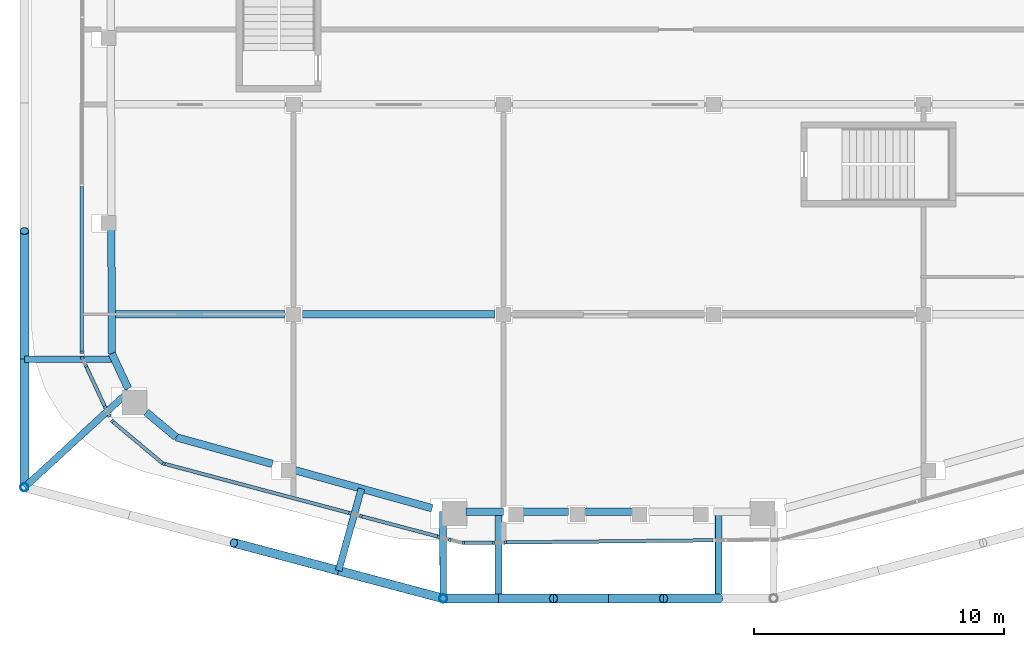
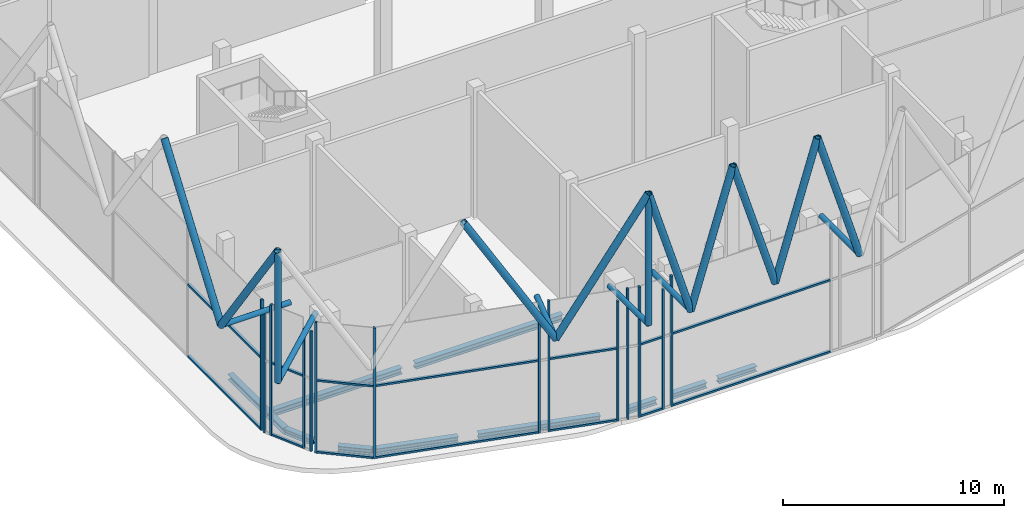
# One storey, part 2 of 25: 45 members, 10 beams, 13 elements without a shape of their own.
"""IFC4 building model written with IfcOpenShell, lengths in metres."""

from ifc_helpers import new_model, si_unit, direction, frame, origin, origin_2d, place, context, subcontext, project, spatial, rectangle, hollow_circle, i_section, extrude, material, layer, layer_set, material_profile, profile_set, type_object, element, aggregate, save


model = new_model("IFC4")

# Units and contexts
model_context = context("Model", 3, precision=1e-05, world=origin(), true_north=direction((0.0, 1.0)))
body_context = subcontext(model_context, "Body", "Model", "MODEL_VIEW")
ifc_project = project(units=[si_unit("LENGTHUNIT", "METRE"), si_unit("AREAUNIT", "SQUARE_METRE"), si_unit("VOLUMEUNIT", "CUBIC_METRE"), si_unit("PLANEANGLEUNIT", "RADIAN"), si_unit("MASSUNIT", "GRAM", prefix="KILO")], contexts=[model_context])

# Site, building, storey
site_placement = place(None, origin())
site = spatial("IfcSite", under=ifc_project, at=site_placement, CompositionType="ELEMENT")
building_placement = place(site_placement, origin())
building = spatial("IfcBuilding", under=site, at=building_placement, Name="Marenta Gate Hotel Tower", CompositionType="ELEMENT")
storey_placement = place(building_placement, frame((0.0, 0.0, 281.300048828125)))
storey = spatial("IfcBuildingStorey", under=building, at=storey_placement, Name="L65", CompositionType="ELEMENT", Elevation=281.300048828125)

# Members
ifc_material_1 = material(Name="Steel S355J2W", Category="steel")
ifc_material_profile_1 = material_profile(ifc_material_1, hollow_circle(Radius=0.161865234375, WallThickness=0.012451171875, at=origin_2d()), Name="CHS 323.9x12.5")
ifc_profile_set_1 = profile_set([ifc_material_profile_1], Name="Steel S355J2W")
member_type_1 = type_object("IfcMemberType", Name="Diagrid corner post C CHS 323.9x12.5", PredefinedType="POST", material=ifc_profile_set_1)
for number, where, z_axis, x_axis, name in (
    (1, (-6.60888671875, -36.570068359375, 6.739990234375), (0.0, 0.0, 1.0), (1.0, 0.0, 0.0), "L65-DR-4"),
    (2, (-23.3701171875, -32.123291015625, 6.739990234375), (0.0, 0.0, 1.0), (1.0, 0.0, 0.0), "L65-DR-5"),
):
    element("IfcMember", number, at=place(storey_placement, frame(where, z_axis=z_axis, x_axis=x_axis)), inside=storey, type_object=member_type_1, Name=name, PredefinedType="POST", context=body_context, shape_type="SweptSolid", body=[
        extrude(hollow_circle(Radius=0.161865234375, WallThickness=0.012451171875, at=origin_2d()), origin(), (0.0, 0.0, 1.0), 7.199951171875),
    ])
ifc_material_2 = material(Name="Steel S355J2W", Category="steel")
ifc_material_profile_2 = material_profile(ifc_material_2, hollow_circle(Radius=0.177734375, WallThickness=0.01611328125, at=origin_2d()), Name="CHS 355.6x16")
ifc_profile_set_2 = profile_set([ifc_material_profile_2], Name="Steel S355J2W")
member_type_2 = type_object("IfcMemberType", Name="Diagrid diagonal C CHS 355.6x16", PredefinedType="BRACE", material=ifc_profile_set_2)
member_1_placement = place(storey_placement, frame((4.406005859375, -36.570068359375, 6.739990234375), z_axis=(-0.292599919446, 0.0, 0.956234953942), x_axis=(0.0, -1.0, 0.0)))
element("IfcMember", 3, at=member_1_placement, inside=storey, type_object=member_type_2, Name="L65-DG-16", PredefinedType="BRACE", context=body_context, shape_type="SweptSolid", body=[
    extrude(hollow_circle(Radius=0.177734375, WallThickness=0.01611328125, at=origin_2d()), origin(), (0.0, 0.0, 1.0), 7.529541015625),
])
for number, where, z_axis, x_axis, name in (
    (4, (0.0, -36.570068359375, 6.739990234375), (0.292570270413, 0.0, 0.956244025796), (0.0, 1.0, 0.0), "L65-DG-17"),
    (5, (0.0, -36.570068359375, 6.739990234375), (-0.292570270413, 0.0, 0.956244025796), (0.0, -1.0, 0.0), "L65-DG-18"),
):
    element("IfcMember", number, at=place(storey_placement, frame(where, z_axis=z_axis, x_axis=x_axis)), inside=storey, type_object=member_type_2, Name=name, PredefinedType="BRACE", context=body_context, shape_type="SweptSolid", body=[
        extrude(hollow_circle(Radius=0.177734375, WallThickness=0.01611328125, at=origin_2d()), origin(), (0.0, 0.0, 1.0), 7.529296875),
    ])
member_2_placement = place(storey_placement, frame((-4.406005859375, -36.570068359375, 6.739990234375), z_axis=(0.292599919446, 0.0, 0.956234953942), x_axis=(0.0, 1.0, 0.0)))
element("IfcMember", 6, at=member_2_placement, inside=storey, type_object=member_type_2, Name="L65-DG-19", PredefinedType="BRACE", context=body_context, shape_type="SweptSolid", body=[
    extrude(hollow_circle(Radius=0.177734375, WallThickness=0.01611328125, at=origin_2d()), origin(), (0.0, 0.0, 1.0), 7.529541015625),
])
member_3_placement = place(storey_placement, frame((-4.406005859375, -36.570068359375, 6.739990234375), z_axis=(-0.292570270413, 0.0, 0.956244025796), x_axis=(0.0, -1.0, 0.0)))
element("IfcMember", 7, at=member_3_placement, inside=storey, type_object=member_type_2, Name="L65-DG-20", PredefinedType="BRACE", context=body_context, shape_type="SweptSolid", body=[
    extrude(hollow_circle(Radius=0.177734375, WallThickness=0.01611328125, at=origin_2d()), origin(), (0.0, 0.0, 1.0), 7.529296875),
])
member_4_placement = place(storey_placement, frame((-10.79931640625, -35.458251953125, 6.739990234375), z_axis=(0.498595291069, -0.13228868303, 0.856681060878), x_axis=(0.256449730421, 0.966557569815, 0.0)))
element("IfcMember", 8, at=member_4_placement, inside=storey, type_object=member_type_2, Name="L65-DG-21", PredefinedType="BRACE", context=body_context, shape_type="SweptSolid", body=[
    extrude(hollow_circle(Radius=0.177734375, WallThickness=0.01611328125, at=origin_2d()), origin(), (0.0, 0.0, 1.0), 8.404541015625),
])
member_5_placement = place(storey_placement, frame((-10.79931640625, -35.458251953125, 6.739990234375), z_axis=(-0.498575378967, 0.132262057941, 0.856696760538), x_axis=(-0.256411076507, -0.966567824751, 0.0)))
element("IfcMember", 9, at=member_5_placement, inside=storey, type_object=member_type_2, Name="L65-DG-22", PredefinedType="BRACE", context=body_context, shape_type="SweptSolid", body=[
    extrude(hollow_circle(Radius=0.177734375, WallThickness=0.01611328125, at=origin_2d()), origin(), (0.0, 0.0, 1.0), 8.404296875),
])
for number, where, z_axis, x_axis, name in (
    (10, (-23.3701171875, -26.993896484375, 6.739990234375), (0.0, -0.580231970533, 0.81445126335), (1.0, 0.0, 0.0), "L65-DG-25"),
    (11, (-23.3701171875, -26.993896484375, 6.739990234375), (0.0, 0.580231970533, 0.81445126335), (-1.0, 0.0, 0.0), "L65-DG-26"),
):
    element("IfcMember", number, at=place(storey_placement, frame(where, z_axis=z_axis, x_axis=x_axis)), inside=storey, type_object=member_type_2, Name=name, PredefinedType="BRACE", context=body_context, shape_type="SweptSolid", body=[
        extrude(hollow_circle(Radius=0.177734375, WallThickness=0.01611328125, at=origin_2d()), origin(), (0.0, 0.0, 1.0), 8.84033203125),
    ])

# Beams
ifc_material_3 = material(Name="Steel S355", Category="steel")
ifc_material_profile_3 = material_profile(ifc_material_3, i_section(OverallWidth=0.300048828125, OverallDepth=0.300048828125, WebThickness=0.010986328125, FlangeThickness=0.01904296875, FilletRadius=0.027099609375, at=origin_2d()), Name="HEB 300")
ifc_profile_set_3 = profile_set([ifc_material_profile_3], Name="Steel S355")
beam_type_1 = type_object("IfcBeamType", Name="Edge beam HEB 300", PredefinedType="SPANDREL", material=ifc_profile_set_3)
beam_1_placement = place(storey_placement, frame((-7.054443359375, -32.95947265625, -0.41015625), z_axis=(-0.9636227992, 0.267265974008, 0.0), x_axis=(-0.267265974008, -0.9636227992, 0.0)))
element("IfcBeam", 12, at=beam_1_placement, inside=storey, type_object=beam_type_1, Name="L65-EB-1", PredefinedType="SPANDREL", context=body_context, shape_type="SweptSolid", body=[
    extrude(i_section(OverallWidth=0.300048828125, OverallDepth=0.300048828125, WebThickness=0.010986328125, FlangeThickness=0.01904296875, FilletRadius=0.027099609375, at=origin_2d()), origin(), (0.0, 0.0, 1.0), 5.6982421875),
])
beam_2_placement = place(storey_placement, frame((-13.44482421875, -31.18701171875, -0.41015625), z_axis=(-0.963624581136, 0.267259549186, 0.0), x_axis=(-0.267259549186, -0.963624581136, 0.0)))
element("IfcBeam", 13, at=beam_2_placement, inside=storey, type_object=beam_type_1, Name="L65-EB-2", PredefinedType="SPANDREL", context=body_context, shape_type="SweptSolid", body=[
    extrude(i_section(OverallWidth=0.300048828125, OverallDepth=0.300048828125, WebThickness=0.010986328125, FlangeThickness=0.01904296875, FilletRadius=0.027099609375, at=origin_2d()), origin(), (0.0, 0.0, 1.0), 3.99755859375),
])
beam_3_placement = place(storey_placement, frame((-17.296875, -30.11865234375, -0.41015625), z_axis=(-0.767142679, 0.641476507797, 0.0), x_axis=(-0.641476507797, -0.767142679, 0.0)))
element("IfcBeam", 14, at=beam_3_placement, inside=storey, type_object=beam_type_1, Name="L65-EB-3", PredefinedType="SPANDREL", context=body_context, shape_type="SweptSolid", body=[
    extrude(i_section(OverallWidth=0.300048828125, OverallDepth=0.300048828125, WebThickness=0.010986328125, FlangeThickness=0.01904296875, FilletRadius=0.027099609375, at=origin_2d()), origin(), (0.0, 0.0, 1.0), 1.56005859375),
])
beam_4_placement = place(storey_placement, frame((-19.219970703125, -28.169189453125, -0.41015625), z_axis=(-0.423394912145, 0.905945223714, 0.0), x_axis=(-0.905945223714, -0.423394912145, 0.0)))
element("IfcBeam", 15, at=beam_4_placement, inside=storey, type_object=beam_type_1, Name="L65-EB-4", PredefinedType="SPANDREL", context=body_context, shape_type="SweptSolid", body=[
    extrude(i_section(OverallWidth=0.300048828125, OverallDepth=0.300048828125, WebThickness=0.010986328125, FlangeThickness=0.01904296875, FilletRadius=0.027099609375, at=origin_2d()), origin(), (0.0, 0.0, 1.0), 1.547607421875),
])
beam_5_placement = place(storey_placement, frame((-19.875244140625, -26.76708984375, -0.41015625), z_axis=(-0.003301125095, 0.999994551272, 0.0), x_axis=(-0.999994551272, -0.003301125095, 0.0)))
element("IfcBeam", 16, at=beam_5_placement, inside=storey, type_object=beam_type_1, Name="L65-EB-5", PredefinedType="SPANDREL", context=body_context, shape_type="SweptSolid", body=[
    extrude(i_section(OverallWidth=0.300048828125, OverallDepth=0.300048828125, WebThickness=0.010986328125, FlangeThickness=0.01904296875, FilletRadius=0.027099609375, at=origin_2d()), origin(), (0.0, 0.0, 1.0), 4.955078125),
])
beam_6_placement = place(storey_placement, frame((0.98876953125, -33.09130859375, -0.41015625), z_axis=(-1.0, 0.0, 0.0), x_axis=(0.0, -1.0, 0.0)))
element("IfcBeam", 17, at=beam_6_placement, inside=storey, type_object=beam_type_1, Name="L65-EB-30", PredefinedType="SPANDREL", context=body_context, shape_type="SweptSolid", body=[
    extrude(i_section(OverallWidth=0.300048828125, OverallDepth=0.300048828125, WebThickness=0.010986328125, FlangeThickness=0.01904296875, FilletRadius=0.027099609375, at=origin_2d()), origin(), (0.0, 0.0, 1.0), 1.9775390625),
])
beam_7_placement = place(storey_placement, frame((-1.608642578125, -33.09130859375, -0.41015625), z_axis=(-1.0, 0.0, 0.0), x_axis=(0.0, -1.0, 0.0)))
element("IfcBeam", 18, at=beam_7_placement, inside=storey, type_object=beam_type_1, Name="L65-EB-31", PredefinedType="SPANDREL", context=body_context, shape_type="SweptSolid", body=[
    extrude(i_section(OverallWidth=0.300048828125, OverallDepth=0.300048828125, WebThickness=0.010986328125, FlangeThickness=0.01904296875, FilletRadius=0.027099609375, at=origin_2d()), origin(), (0.0, 0.0, 1.0), 1.83154296875),
])
beam_8_placement = place(storey_placement, frame((-4.2060546875, -33.09130859375, -0.41015625), z_axis=(-1.0, 0.0, 0.0), x_axis=(0.0, -1.0, 0.0)))
element("IfcBeam", 19, at=beam_8_placement, inside=storey, type_object=beam_type_1, Name="L65-EB-32", PredefinedType="SPANDREL", context=body_context, shape_type="SweptSolid", body=[
    extrude(i_section(OverallWidth=0.300048828125, OverallDepth=0.300048828125, WebThickness=0.010986328125, FlangeThickness=0.01904296875, FilletRadius=0.027099609375, at=origin_2d()), origin(), (0.0, 0.0, 1.0), 1.500244140625),
])

# Members
ifc_material_4 = material(Name="Steel S355J2W", Category="steel")
ifc_material_profile_4 = material_profile(ifc_material_4, hollow_circle(Radius=0.136474609375, WallThickness=0.012451171875, at=origin_2d()), Name="CHS 273x12.5")
ifc_profile_set_4 = profile_set([ifc_material_profile_4], Name="Steel S355J2W")
member_type_3 = type_object("IfcMemberType", Name="Floor tie CHS 273x12.5", PredefinedType="STRUT", material=ifc_profile_set_4)
for number, where, z_axis, x_axis, name in (
    (20, (4.406005859375, -36.570068359375, 6.739990234375), (0.0, 1.0, 0.0), (-1.0, 0.0, 0.0), "L65-DR-14"),
    (21, (-4.406005859375, -36.570068359375, 6.739990234375), (0.0, 1.0, 0.0), (-1.0, 0.0, 0.0), "L65-DR-15"),
):
    element("IfcMember", number, at=place(storey_placement, frame(where, z_axis=z_axis, x_axis=x_axis)), inside=storey, type_object=member_type_3, Name=name, PredefinedType="STRUT", context=body_context, shape_type="SweptSolid", body=[
        extrude(hollow_circle(Radius=0.136474609375, WallThickness=0.012451171875, at=origin_2d()), origin(), (0.0, 0.0, 1.0), 3.473388671875),
    ])
member_6_placement = place(storey_placement, frame((-6.60888671875, -36.570068359375, 6.739990234375), z_axis=(-0.005391700916, 0.999985464675, 0.0), x_axis=(-0.999985464675, -0.005391700916, 0.0)))
element("IfcMember", 22, at=member_6_placement, inside=storey, type_object=member_type_3, Name="L65-DR-16", PredefinedType="STRUT", context=body_context, shape_type="SweptSolid", body=[
    extrude(hollow_circle(Radius=0.136474609375, WallThickness=0.012451171875, at=origin_2d()), origin(), (0.0, 0.0, 1.0), 3.486572265625),
])
member_7_placement = place(storey_placement, frame((-10.79931640625, -35.458251953125, 6.739990234375), z_axis=(0.267284964201, 0.963617531966, 0.0), x_axis=(-0.963617531966, 0.267284964201, 0.0)))
element("IfcMember", 23, at=member_7_placement, inside=storey, type_object=member_type_3, Name="L65-DR-17", PredefinedType="STRUT", context=body_context, shape_type="SweptSolid", body=[
    extrude(hollow_circle(Radius=0.136474609375, WallThickness=0.012451171875, at=origin_2d()), origin(), (0.0, 0.0, 1.0), 3.4033203125),
])
member_8_placement = place(storey_placement, frame((-23.3701171875, -32.123291015625, 6.739990234375), z_axis=(0.736553871994, 0.676378883209, 0.0), x_axis=(-0.676378883209, 0.736553871994, 0.0)))
element("IfcMember", 24, at=member_8_placement, inside=storey, type_object=member_type_3, Name="L65-DR-18", PredefinedType="STRUT", context=body_context, shape_type="SweptSolid", body=[
    extrude(hollow_circle(Radius=0.136474609375, WallThickness=0.012451171875, at=origin_2d()), origin(), (0.0, 0.0, 1.0), 5.692138671875),
])
member_9_placement = place(storey_placement, frame((-23.3701171875, -26.993896484375, 6.739990234375), z_axis=(0.999999997694, 6.7916327e-05, 0.0), x_axis=(-6.7916327e-05, 0.999999997694, 0.0)))
element("IfcMember", 25, at=member_9_placement, inside=storey, type_object=member_type_3, Name="L65-DR-19", PredefinedType="STRUT", context=body_context, shape_type="SweptSolid", body=[
    extrude(hollow_circle(Radius=0.136474609375, WallThickness=0.012451171875, at=origin_2d()), origin(), (0.0, 0.0, 1.0), 3.5947265625),
])

# Beams
ifc_material_5 = material(Name="Steel S355", Category="steel")
ifc_material_profile_5 = material_profile(ifc_material_5, i_section(OverallWidth=0.300048828125, OverallDepth=0.340087890625, WebThickness=0.011962890625, FlangeThickness=0.021484375, FilletRadius=0.027099609375, at=origin_2d()), Name="HEB 340")
ifc_profile_set_5 = profile_set([ifc_material_profile_5], Name="Steel S355")
beam_type_2 = type_object("IfcBeamType", Name="Girder HEB 340", PredefinedType="BEAM", material=ifc_profile_set_5)
beam_9_placement = place(storey_placement, frame((-19.73046875, -25.199951171875, -0.429931640625), z_axis=(1.0, 0.0, 0.0), x_axis=(0.0, 1.0, 0.0)))
element("IfcBeam", 26, at=beam_9_placement, inside=storey, type_object=beam_type_2, Name="L65-GD-1", PredefinedType="BEAM", context=body_context, shape_type="SweptSolid", body=[
    extrude(i_section(OverallWidth=0.300048828125, OverallDepth=0.340087890625, WebThickness=0.011962890625, FlangeThickness=0.021484375, FilletRadius=0.027099609375, at=origin_2d()), origin(), (0.0, 0.0, 1.0), 6.780517578125),
])
beam_10_placement = place(storey_placement, frame((-12.25, -25.199951171875, -0.429931640625), z_axis=(1.0, 0.0, 0.0), x_axis=(0.0, 1.0, 0.0)))
element("IfcBeam", 27, at=beam_10_placement, inside=storey, type_object=beam_type_2, Name="L65-GD-2", PredefinedType="BEAM", context=body_context, shape_type="SweptSolid", body=[
    extrude(i_section(OverallWidth=0.300048828125, OverallDepth=0.340087890625, WebThickness=0.011962890625, FlangeThickness=0.021484375, FilletRadius=0.027099609375, at=origin_2d()), origin(), (0.0, 0.0, 1.0), 7.699951171875),
])

# Curtain wall, member
ifc_material_6 = material(Name="Tinted insulated glass in bronze anodised frame", Category="glass")
ifc_layer = layer(ifc_material_6, 0.139892578125)
ifc_layer_set = layer_set([ifc_layer], Name="Tinted insulated glass in bronze anodised frame")
curtain_wall_type = type_object("IfcCurtainWallType", Name="Observation deck structural glazing CW3", PredefinedType="NOTDEFINED", material=ifc_layer_set)
curtain_wall_1_placement = place(storey_placement, origin())
curtain_wall_1 = element("IfcCurtainWall", 28, at=curtain_wall_1_placement, inside=storey, type_object=curtain_wall_type, Name="CW3 run G09", PredefinedType="NOTDEFINED")
ifc_material_7 = material(Name="Bronze anodised aluminium", Category="aluminium")
ifc_material_profile_6 = material_profile(ifc_material_7, rectangle(XDim=0.139892578125, YDim=0.10009765625, at=origin_2d()), Name="Mullion CW3 100x140 bronze anodised aluminium")
ifc_profile_set_6 = profile_set([ifc_material_profile_6], Name="Bronze anodised aluminium")
member_type_4 = type_object("IfcMemberType", Name="Mullion CW3 100x140 bronze anodised aluminium", PredefinedType="MULLION", material=ifc_profile_set_6)
member_10_placement = place(storey_placement, frame((-21.082763671875, -26.71728515625, 0.0), z_axis=(0.0, 0.0, 1.0), x_axis=(0.999998775196, -0.001565121588, 0.0)))
member_10 = element("IfcMember", 29, at=member_10_placement, type_object=member_type_4, Name="CW3 mullion 4", PredefinedType="MULLION", context=body_context, shape_type="SweptSolid", body=[
    extrude(rectangle(XDim=0.139892578125, YDim=0.10009765625, at=origin_2d()), origin(), (0.0, 0.0, 1.0), 7.199951171875),
])

curtain_wall_2_placement = place(storey_placement, origin())
curtain_wall_2 = element("IfcCurtainWall", 30, at=curtain_wall_2_placement, inside=storey, type_object=curtain_wall_type, Name="CW3 run G10", PredefinedType="NOTDEFINED")
member_11_placement = place(storey_placement, frame((-21.061767578125, -26.94140625, 0.0), z_axis=(0.0, 0.0, 1.0), x_axis=(0.906011770288, 0.423252492136, 0.0)))
member_11 = element("IfcMember", 31, at=member_11_placement, type_object=member_type_4, Name="CW3 mullion 1", PredefinedType="MULLION", context=body_context, shape_type="SweptSolid", body=[
    extrude(rectangle(XDim=0.139892578125, YDim=0.10009765625, at=origin_2d()), origin(), (0.0, 0.0, 1.0), 6.600341796875),
])
aggregate(curtain_wall_2, [member_11])

curtain_wall_3_placement = place(storey_placement, origin())
curtain_wall_3 = element("IfcCurtainWall", 32, at=curtain_wall_3_placement, inside=storey, type_object=curtain_wall_type, Name="CW3 run G11", PredefinedType="NOTDEFINED")
member_12_placement = place(storey_placement, frame((-20.910400390625, -27.265625, 0.0), z_axis=(0.0, 0.0, 1.0), x_axis=(0.905961196272, 0.423360733713, 0.0)))
member_12 = element("IfcMember", 33, at=member_12_placement, type_object=member_type_4, Name="CW3 mullion 1", PredefinedType="MULLION", context=body_context, shape_type="SweptSolid", body=[
    extrude(rectangle(XDim=0.139892578125, YDim=0.10009765625, at=origin_2d()), origin(), (0.0, 0.0, 1.0), 7.199951171875),
])

# Curtain wall, members
curtain_wall_4_placement = place(storey_placement, origin())
curtain_wall_4 = element("IfcCurtainWall", 34, at=curtain_wall_4_placement, inside=storey, type_object=curtain_wall_type, Name="CW3 run G12", PredefinedType="NOTDEFINED")
member_13_placement = place(storey_placement, frame((-20.139892578125, -28.914306640625, 0.0), z_axis=(0.0, 0.0, 1.0), x_axis=(0.905946334591, 0.423392535174, 0.0)))
member_13 = element("IfcMember", 35, at=member_13_placement, type_object=member_type_4, Name="CW3 mullion 1", PredefinedType="MULLION", context=body_context, shape_type="SweptSolid", body=[
    extrude(rectangle(XDim=0.139892578125, YDim=0.10009765625, at=origin_2d()), origin(), (0.0, 0.0, 1.0), 6.600341796875),
])
member_14_placement = place(storey_placement, frame((-19.981201171875, -29.25390625, 0.0), z_axis=(0.0, 0.0, 1.0), x_axis=(0.905946334591, 0.423392535174, 0.0)))
member_14 = element("IfcMember", 36, at=member_14_placement, type_object=member_type_4, Name="CW3 mullion 2", PredefinedType="MULLION", context=body_context, shape_type="SweptSolid", body=[
    extrude(rectangle(XDim=0.139892578125, YDim=0.10009765625, at=origin_2d()), origin(), (0.0, 0.0, 1.0), 6.600341796875),
])
aggregate(curtain_wall_4, [member_13, member_14])

# Curtain wall, member
curtain_wall_5_placement = place(storey_placement, origin())
curtain_wall_5 = element("IfcCurtainWall", 37, at=curtain_wall_5_placement, inside=storey, type_object=curtain_wall_type, Name="CW3 run G13", PredefinedType="NOTDEFINED")
member_15_placement = place(storey_placement, frame((-19.8525390625, -29.47900390625, 0.0), z_axis=(0.0, 0.0, 1.0), x_axis=(0.641515186055, 0.767110334998, 0.0)))
member_15 = element("IfcMember", 38, at=member_15_placement, type_object=member_type_4, Name="CW3 mullion 1", PredefinedType="MULLION", context=body_context, shape_type="SweptSolid", body=[
    extrude(rectangle(XDim=0.139892578125, YDim=0.10009765625, at=origin_2d()), origin(), (0.0, 0.0, 1.0), 7.199951171875),
])

curtain_wall_6_placement = place(storey_placement, origin())
curtain_wall_6 = element("IfcCurtainWall", 39, at=curtain_wall_6_placement, inside=storey, type_object=curtain_wall_type, Name="CW3 run G14", PredefinedType="NOTDEFINED")
member_16_placement = place(storey_placement, frame((-17.791748046875, -31.175048828125, 0.0), z_axis=(0.0, 0.0, 1.0), x_axis=(0.257138471728, 0.966374568352, 0.0)))
member_16 = element("IfcMember", 40, at=member_16_placement, type_object=member_type_4, Name="CW3 mullion 1", PredefinedType="MULLION", context=body_context, shape_type="SweptSolid", body=[
    extrude(rectangle(XDim=0.139892578125, YDim=0.10009765625, at=origin_2d()), origin(), (0.0, 0.0, 1.0), 7.199951171875),
])

curtain_wall_7_placement = place(storey_placement, origin())
curtain_wall_7 = element("IfcCurtainWall", 41, at=curtain_wall_7_placement, inside=storey, type_object=curtain_wall_type, Name="CW3 run G15", PredefinedType="NOTDEFINED")
member_17_placement = place(storey_placement, frame((-10.343994140625, -33.15673828125, 0.0), z_axis=(0.0, 0.0, 1.0), x_axis=(0.257154287199, 0.966370359942, 0.0)))
member_17 = element("IfcMember", 42, at=member_17_placement, type_object=member_type_4, Name="CW3 mullion 1", PredefinedType="MULLION", context=body_context, shape_type="SweptSolid", body=[
    extrude(rectangle(XDim=0.139892578125, YDim=0.10009765625, at=origin_2d()), origin(), (0.0, 0.0, 1.0), 6.600341796875),
])
aggregate(curtain_wall_7, [member_17])

curtain_wall_8_placement = place(storey_placement, origin())
curtain_wall_8 = element("IfcCurtainWall", 43, at=curtain_wall_8_placement, inside=storey, type_object=curtain_wall_type, Name="CW3 run G16", PredefinedType="NOTDEFINED")
member_18_placement = place(storey_placement, frame((-9.90625, -33.273193359375, 0.0), z_axis=(0.0, 0.0, 1.0), x_axis=(0.25713584905, 0.966375266205, 0.0)))
member_18 = element("IfcMember", 44, at=member_18_placement, type_object=member_type_4, Name="CW3 mullion 1", PredefinedType="MULLION", context=body_context, shape_type="SweptSolid", body=[
    extrude(rectangle(XDim=0.139892578125, YDim=0.10009765625, at=origin_2d()), origin(), (0.0, 0.0, 1.0), 7.199951171875),
])

curtain_wall_9_placement = place(storey_placement, origin())
curtain_wall_9 = element("IfcCurtainWall", 45, at=curtain_wall_9_placement, inside=storey, type_object=curtain_wall_type, Name="CW3 run G17", PredefinedType="NOTDEFINED")
member_19_placement = place(storey_placement, frame((-6.800537109375, -34.099609375, 0.0), z_axis=(0.0, 0.0, 1.0), x_axis=(0.25734441234, 0.966319746998, 0.0)))
member_19 = element("IfcMember", 46, at=member_19_placement, type_object=member_type_4, Name="CW3 mullion 1", PredefinedType="MULLION", context=body_context, shape_type="SweptSolid", body=[
    extrude(rectangle(XDim=0.139892578125, YDim=0.10009765625, at=origin_2d()), origin(), (0.0, 0.0, 1.0), 6.600341796875),
])
aggregate(curtain_wall_9, [member_19])

curtain_wall_10_placement = place(storey_placement, origin())
curtain_wall_10 = element("IfcCurtainWall", 47, at=curtain_wall_10_placement, inside=storey, type_object=curtain_wall_type, Name="CW3 run G18", PredefinedType="NOTDEFINED")
member_20_placement = place(storey_placement, frame((-6.346923828125, -34.220458984375, 0.0), z_axis=(0.0, 0.0, 1.0), x_axis=(0.256989945038, 0.966414076961, 0.0)))
member_20 = element("IfcMember", 48, at=member_20_placement, type_object=member_type_4, Name="CW3 mullion 1", PredefinedType="MULLION", context=body_context, shape_type="SweptSolid", body=[
    extrude(rectangle(XDim=0.139892578125, YDim=0.10009765625, at=origin_2d()), origin(), (0.0, 0.0, 1.0), 7.199951171875),
])
aggregate(curtain_wall_10, [member_20])

curtain_wall_11_placement = place(storey_placement, origin())
curtain_wall_11 = element("IfcCurtainWall", 49, at=curtain_wall_11_placement, inside=storey, type_object=curtain_wall_type, Name="CW3 run G19", PredefinedType="NOTDEFINED")
member_21_placement = place(storey_placement, frame((-5.817626953125, -34.34716796875, 0.0), z_axis=(0.0, 0.0, 1.0), x_axis=(-0.010605832095, 0.999943756581, 0.0)))
member_21 = element("IfcMember", 50, at=member_21_placement, type_object=member_type_4, Name="CW3 mullion 1", PredefinedType="MULLION", context=body_context, shape_type="SweptSolid", body=[
    extrude(rectangle(XDim=0.139892578125, YDim=0.10009765625, at=origin_2d()), origin(), (0.0, 0.0, 1.0), 7.199951171875),
])

curtain_wall_12_placement = place(storey_placement, origin())
curtain_wall_12 = element("IfcCurtainWall", 51, at=curtain_wall_12_placement, inside=storey, type_object=curtain_wall_type, Name="CW3 run G20", PredefinedType="NOTDEFINED")
member_22_placement = place(storey_placement, frame((-4.58251953125, -34.334228515625, 0.0), z_axis=(0.0, 0.0, 1.0), x_axis=(-0.010595431704, 0.999943866838, 0.0)))
member_22 = element("IfcMember", 52, at=member_22_placement, type_object=member_type_4, Name="CW3 mullion 1", PredefinedType="MULLION", context=body_context, shape_type="SweptSolid", body=[
    extrude(rectangle(XDim=0.139892578125, YDim=0.10009765625, at=origin_2d()), origin(), (0.0, 0.0, 1.0), 6.600341796875),
])
aggregate(curtain_wall_12, [member_22])

curtain_wall_13_placement = place(storey_placement, origin())
curtain_wall_13 = element("IfcCurtainWall", 53, at=curtain_wall_13_placement, inside=storey, type_object=curtain_wall_type, Name="CW3 run G21", PredefinedType="NOTDEFINED")
member_23_placement = place(storey_placement, frame((-4.12939453125, -34.329345703125, 0.0), z_axis=(0.0, 0.0, 1.0), x_axis=(-0.010634642034, 0.999943450595, 0.0)))
member_23 = element("IfcMember", 54, at=member_23_placement, type_object=member_type_4, Name="CW3 mullion 1", PredefinedType="MULLION", context=body_context, shape_type="SweptSolid", body=[
    extrude(rectangle(XDim=0.139892578125, YDim=0.10009765625, at=origin_2d()), origin(), (0.0, 0.0, 1.0), 7.199951171875),
])

# Member
ifc_material_8 = material(Name="Bronze anodised aluminium", Category="aluminium")
ifc_material_profile_7 = material_profile(ifc_material_8, rectangle(XDim=0.139892578125, YDim=0.10009765625, at=origin_2d()), Name="Transom CW3 100x140 bronze anodised aluminium")
ifc_profile_set_7 = profile_set([ifc_material_profile_7], Name="Bronze anodised aluminium")
member_type_5 = type_object("IfcMemberType", Name="Transom CW3 100x140 bronze anodised aluminium", PredefinedType="USERDEFINED", material=ifc_profile_set_7)
member_24_placement = place(storey_placement, frame((-21.072265625, -20.087158203125, 0.050048828125), z_axis=(-0.00159542688, -0.999998727306, 0.0), x_axis=(0.999998727306, -0.00159542688, 0.0)))
member_24 = element("IfcMember", 55, at=member_24_placement, type_object=member_type_5, Name="CW3 transom 3.1", ObjectType="TRANSOM", PredefinedType="USERDEFINED", context=body_context, shape_type="SweptSolid", body=[
    extrude(rectangle(XDim=0.139892578125, YDim=0.10009765625, at=origin_2d()), origin(), (0.0, 0.0, 1.0), 6.580078125),
])

member_25_placement = place(storey_placement, frame((-21.072265625, -20.087158203125, 4.0), z_axis=(-0.00159542688, -0.999998727306, 0.0), x_axis=(0.999998727306, -0.00159542688, 0.0)))
member_25 = element("IfcMember", 56, at=member_25_placement, type_object=member_type_5, Name="CW3 transom 3.2", ObjectType="TRANSOM", PredefinedType="USERDEFINED", context=body_context, shape_type="SweptSolid", body=[
    extrude(rectangle(XDim=0.139892578125, YDim=0.10009765625, at=origin_2d()), origin(), (0.0, 0.0, 1.0), 6.580078125),
])

aggregate(curtain_wall_1, [member_10, member_24, member_25])

member_26_placement = place(storey_placement, frame((-20.88916015625, -27.310791015625, 0.050048828125), z_axis=(0.423320618185, -0.9059799414, 0.0), x_axis=(0.9059799414, 0.423320618185, 0.0)))
member_26 = element("IfcMember", 57, at=member_26_placement, type_object=member_type_5, Name="CW3 transom 1.1", ObjectType="TRANSOM", PredefinedType="USERDEFINED", context=body_context, shape_type="SweptSolid", body=[
    extrude(rectangle(XDim=0.139892578125, YDim=0.10009765625, at=origin_2d()), origin(), (0.0, 0.0, 1.0), 1.7197265625),
])

member_27_placement = place(storey_placement, frame((-20.88916015625, -27.310791015625, 4.0), z_axis=(0.423320618185, -0.9059799414, 0.0), x_axis=(0.9059799414, 0.423320618185, 0.0)))
member_27 = element("IfcMember", 58, at=member_27_placement, type_object=member_type_5, Name="CW3 transom 1.2", ObjectType="TRANSOM", PredefinedType="USERDEFINED", context=body_context, shape_type="SweptSolid", body=[
    extrude(rectangle(XDim=0.139892578125, YDim=0.10009765625, at=origin_2d()), origin(), (0.0, 0.0, 1.0), 1.7197265625),
])

aggregate(curtain_wall_3, [member_12, member_26, member_27])

member_28_placement = place(storey_placement, frame((-19.814208984375, -29.510986328125, 0.050048828125), z_axis=(0.767069230798, -0.641564334391, 0.0), x_axis=(0.641564334391, 0.767069230798, 0.0)))
member_28 = element("IfcMember", 59, at=member_28_placement, type_object=member_type_5, Name="CW3 transom 1.1", ObjectType="TRANSOM", PredefinedType="USERDEFINED", context=body_context, shape_type="SweptSolid", body=[
    extrude(rectangle(XDim=0.139892578125, YDim=0.10009765625, at=origin_2d()), origin(), (0.0, 0.0, 1.0), 2.573486328125),
])

member_29_placement = place(storey_placement, frame((-19.814208984375, -29.510986328125, 4.0), z_axis=(0.767069230798, -0.641564334391, 0.0), x_axis=(0.641564334391, 0.767069230798, 0.0)))
member_29 = element("IfcMember", 60, at=member_29_placement, type_object=member_type_5, Name="CW3 transom 1.2", ObjectType="TRANSOM", PredefinedType="USERDEFINED", context=body_context, shape_type="SweptSolid", body=[
    extrude(rectangle(XDim=0.139892578125, YDim=0.10009765625, at=origin_2d()), origin(), (0.0, 0.0, 1.0), 2.573486328125),
])

aggregate(curtain_wall_5, [member_15, member_28, member_29])

member_30_placement = place(storey_placement, frame((-17.743408203125, -31.187744140625, 0.050048828125), z_axis=(0.966373300232, -0.257143237511, 0.0), x_axis=(0.257143237511, 0.966373300232, 0.0)))
member_30 = element("IfcMember", 61, at=member_30_placement, type_object=member_type_5, Name="CW3 transom 1.1", ObjectType="TRANSOM", PredefinedType="USERDEFINED", context=body_context, shape_type="SweptSolid", body=[
    extrude(rectangle(XDim=0.139892578125, YDim=0.10009765625, at=origin_2d()), origin(), (0.0, 0.0, 1.0), 7.60693359375),
])

member_31_placement = place(storey_placement, frame((-17.743408203125, -31.187744140625, 4.0), z_axis=(0.966373300232, -0.257143237511, 0.0), x_axis=(0.257143237511, 0.966373300232, 0.0)))
member_31 = element("IfcMember", 62, at=member_31_placement, type_object=member_type_5, Name="CW3 transom 1.2", ObjectType="TRANSOM", PredefinedType="USERDEFINED", context=body_context, shape_type="SweptSolid", body=[
    extrude(rectangle(XDim=0.139892578125, YDim=0.10009765625, at=origin_2d()), origin(), (0.0, 0.0, 1.0), 7.60693359375),
])

aggregate(curtain_wall_6, [member_16, member_30, member_31])

member_32_placement = place(storey_placement, frame((-9.85791015625, -33.2861328125, 0.050048828125), z_axis=(0.96638443594, -0.25710138462, 0.0), x_axis=(0.25710138462, 0.96638443594, 0.0)))
member_32 = element("IfcMember", 63, at=member_32_placement, type_object=member_type_5, Name="CW3 transom 1.1", ObjectType="TRANSOM", PredefinedType="USERDEFINED", context=body_context, shape_type="SweptSolid", body=[
    extrude(rectangle(XDim=0.139892578125, YDim=0.10009765625, at=origin_2d()), origin(), (0.0, 0.0, 1.0), 3.11376953125),
])

member_33_placement = place(storey_placement, frame((-9.85791015625, -33.2861328125, 4.0), z_axis=(0.96638443594, -0.25710138462, 0.0), x_axis=(0.25710138462, 0.96638443594, 0.0)))
member_33 = element("IfcMember", 64, at=member_33_placement, type_object=member_type_5, Name="CW3 transom 1.2", ObjectType="TRANSOM", PredefinedType="USERDEFINED", context=body_context, shape_type="SweptSolid", body=[
    extrude(rectangle(XDim=0.139892578125, YDim=0.10009765625, at=origin_2d()), origin(), (0.0, 0.0, 1.0), 3.11376953125),
])

aggregate(curtain_wall_8, [member_18, member_32, member_33])

member_34_placement = place(storey_placement, frame((-5.767578125, -34.3466796875, 0.050048828125), z_axis=(0.99994445987, 0.010539315667, 0.0), x_axis=(-0.010539315667, 0.99994445987, 0.0)))
member_34 = element("IfcMember", 65, at=member_34_placement, type_object=member_type_5, Name="CW3 transom 1.1", ObjectType="TRANSOM", PredefinedType="USERDEFINED", context=body_context, shape_type="SweptSolid", body=[
    extrude(rectangle(XDim=0.139892578125, YDim=0.10009765625, at=origin_2d()), origin(), (0.0, 0.0, 1.0), 1.135009765625),
])

member_35_placement = place(storey_placement, frame((-5.767578125, -34.3466796875, 4.0), z_axis=(0.99994445987, 0.010539315667, 0.0), x_axis=(-0.010539315667, 0.99994445987, 0.0)))
member_35 = element("IfcMember", 66, at=member_35_placement, type_object=member_type_5, Name="CW3 transom 1.2", ObjectType="TRANSOM", PredefinedType="USERDEFINED", context=body_context, shape_type="SweptSolid", body=[
    extrude(rectangle(XDim=0.139892578125, YDim=0.10009765625, at=origin_2d()), origin(), (0.0, 0.0, 1.0), 1.135009765625),
])

aggregate(curtain_wall_11, [member_21, member_34, member_35])

member_36_placement = place(storey_placement, frame((-4.07958984375, -34.328857421875, 0.050048828125), z_axis=(0.999943381312, 0.01064115455, 0.0), x_axis=(-0.01064115455, 0.999943381312, 0.0)))
member_36 = element("IfcMember", 67, at=member_36_placement, type_object=member_type_5, Name="CW3 transom 1.1", ObjectType="TRANSOM", PredefinedType="USERDEFINED", context=body_context, shape_type="SweptSolid", body=[
    extrude(rectangle(XDim=0.139892578125, YDim=0.10009765625, at=origin_2d()), origin(), (0.0, 0.0, 1.0), 8.259521484375),
])

member_37_placement = place(storey_placement, frame((-4.07958984375, -34.328857421875, 4.0), z_axis=(0.999943381312, 0.01064115455, 0.0), x_axis=(-0.01064115455, 0.999943381312, 0.0)))
member_37 = element("IfcMember", 68, at=member_37_placement, type_object=member_type_5, Name="CW3 transom 1.2", ObjectType="TRANSOM", PredefinedType="USERDEFINED", context=body_context, shape_type="SweptSolid", body=[
    extrude(rectangle(XDim=0.139892578125, YDim=0.10009765625, at=origin_2d()), origin(), (0.0, 0.0, 1.0), 8.259521484375),
])

aggregate(curtain_wall_13, [member_23, member_36, member_37])

save(model, "model.ifc")
